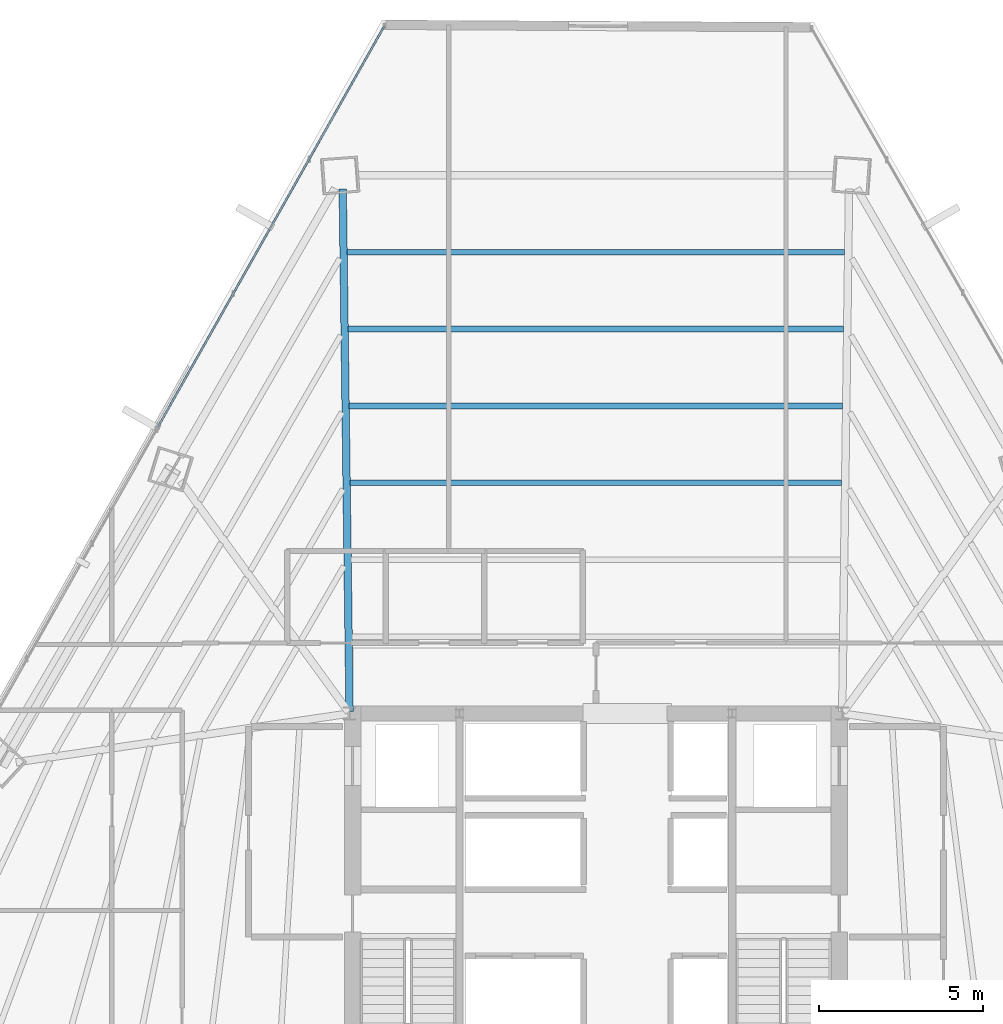
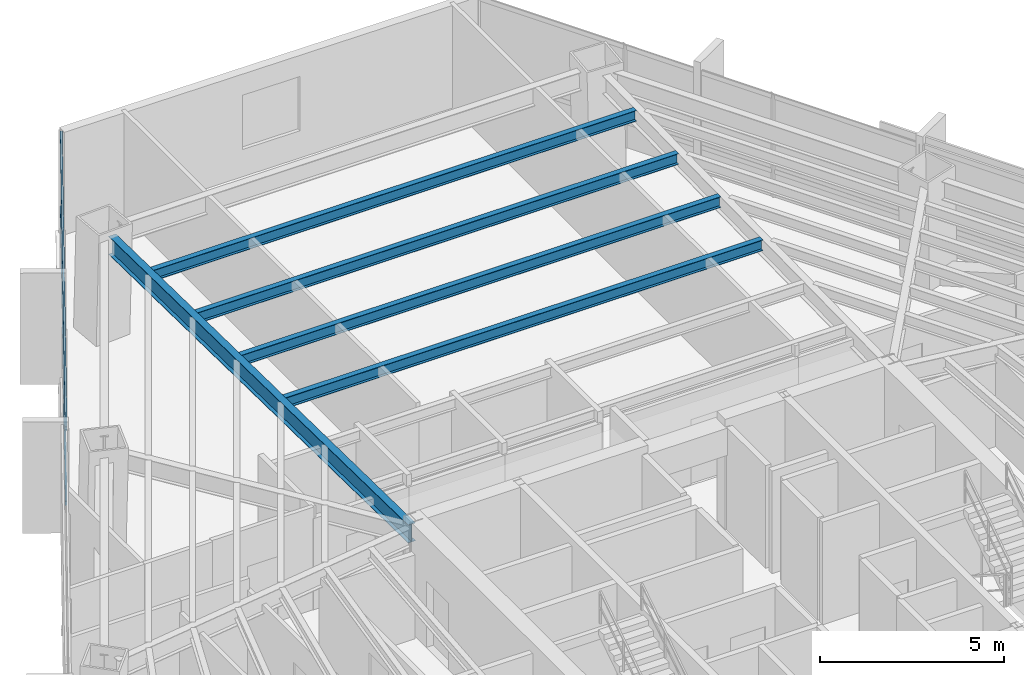
# One storey, part 24 of 35: 5 beams, 2 members, 1 element without a shape of its own.
"""IFC4 building model written with IfcOpenShell, lengths in metres."""

from ifc_helpers import new_model, si_unit, direction, frame, origin, origin_2d, place, context, subcontext, project, spatial, hollow_rectangle, i_section, extrude, source, transform, mapped, material, material_profile, profile_set, type_object, type_shapes, element, aggregate, save


model = new_model("IFC4")

# Units and contexts
model_context = context("Model", 3, precision=1e-05, world=origin(), true_north=direction((0.0, 1.0)))
body_context = subcontext(model_context, "Body", "Model", "MODEL_VIEW")
ifc_project = project(units=[si_unit("LENGTHUNIT", "METRE"), si_unit("AREAUNIT", "SQUARE_METRE"), si_unit("VOLUMEUNIT", "CUBIC_METRE"), si_unit("PLANEANGLEUNIT", "RADIAN"), si_unit("MASSUNIT", "GRAM", prefix="KILO")], contexts=[model_context])

# Site, building, storey
site_placement = place(None, origin())
site = spatial("IfcSite", under=ifc_project, at=site_placement, CompositionType="ELEMENT")
building_placement = place(site_placement, origin())
building = spatial("IfcBuilding", under=site, at=building_placement, Name="Caelisora Broadcast Tower", CompositionType="ELEMENT")
storey_placement = place(building_placement, frame((0.0, 0.0, 90.800048828125)))
storey = spatial("IfcBuildingStorey", under=building, at=storey_placement, Name="L23", CompositionType="ELEMENT", Elevation=90.800048828125)

# Beams
ifc_material_1 = material(Name="Steel Grade 350 (AS/NZS 3679.1)", Category="steel")
ifc_material_profile_1 = material_profile(ifc_material_1, i_section(OverallWidth=0.22802734375, OverallDepth=0.602294921875, WebThickness=0.010498046875, FlangeThickness=0.014892578125, at=origin_2d()), Name="Steel Grade 350 (AS/NZS 3679.1)")
ifc_profile_set_1 = profile_set([ifc_material_profile_1], Name="Steel Grade 350 (AS/NZS 3679.1)")
beam_type_1 = type_object("IfcBeamType", Name="PG04", PredefinedType="BEAM", material=ifc_profile_set_1)
shared_shape_1 = source(origin(), body_context, "Body", "SweptSolid", [
    extrude(i_section(OverallWidth=0.22802734375, OverallDepth=0.602294921875, WebThickness=0.010498046875, FlangeThickness=0.014892578125, at=origin_2d()), origin(), (0.0, 0.0, 1.0), 15.9111328125),
])
type_shapes(beam_type_1, [shared_shape_1])
beam_1_placement = place(storey_placement, frame((30.499267578125, 30.06005859375, 3.098876953125), z_axis=(-0.013088526737, 0.999914341565, 0.0), x_axis=(-0.999914341565, -0.013088526737, 0.0)))
element("IfcBeam", 1, at=beam_1_placement, inside=storey, type_object=beam_type_1, Name="L23 beam PG04", PredefinedType="BEAM", context=body_context, shape_type="MappedRepresentation", body=[
    mapped(shared_shape_1, transform((0.0, 0.0, 0.0), scale=1.0)),
])
ifc_material_profile_2 = material_profile(ifc_material_1, i_section(OverallWidth=0.172119140625, OverallDepth=0.358642578125, WebThickness=0.008056640625, FlangeThickness=0.012939453125, at=origin_2d()), Name="Steel Grade 350 (AS/NZS 3679.1)")
ifc_profile_set_2 = profile_set([ifc_material_profile_2], Name="Steel Grade 350 (AS/NZS 3679.1)")
beam_type_2 = type_object("IfcBeamType", Name="SB02", PredefinedType="JOIST", material=ifc_profile_set_2)
shared_shape_2 = source(origin(), body_context, "Body", "SweptSolid", [
    extrude(i_section(OverallWidth=0.172119140625, OverallDepth=0.358642578125, WebThickness=0.008056640625, FlangeThickness=0.012939453125, at=origin_2d()), origin(), (0.0, 0.0, 1.0), 14.9619140625),
])
beam_2_placement = place(storey_placement, frame((45.48095703125, 37.024169921875, 3.220703125), z_axis=(-1.0, 0.0, 0.0), x_axis=(0.0, -1.0, 0.0)))
element("IfcBeam", 2, at=beam_2_placement, inside=storey, type_object=beam_type_2, Name="L23 beam SB02", PredefinedType="JOIST", context=body_context, shape_type="MappedRepresentation", body=[
    mapped(shared_shape_2, transform((0.0, 0.0, 0.0), scale=1.0)),
])
shared_shape_3 = source(origin(), body_context, "Body", "SweptSolid", [
    extrude(i_section(OverallWidth=0.172119140625, OverallDepth=0.358642578125, WebThickness=0.008056640625, FlangeThickness=0.012939453125, at=origin_2d()), origin(), (0.0, 0.0, 1.0), 15.0234375),
])
beam_3_placement = place(storey_placement, frame((45.51171875, 39.365478515625, 3.220703125), z_axis=(-1.0, 0.0, 0.0), x_axis=(0.0, -1.0, 0.0)))
element("IfcBeam", 3, at=beam_3_placement, inside=storey, type_object=beam_type_2, Name="L23 beam SB02", PredefinedType="JOIST", context=body_context, shape_type="MappedRepresentation", body=[
    mapped(shared_shape_3, transform((0.0, 0.0, 0.0), scale=1.0)),
])
shared_shape_4 = source(origin(), body_context, "Body", "SweptSolid", [
    extrude(i_section(OverallWidth=0.172119140625, OverallDepth=0.358642578125, WebThickness=0.008056640625, FlangeThickness=0.012939453125, at=origin_2d()), origin(), (0.0, 0.0, 1.0), 15.08447265625),
])
beam_4_placement = place(storey_placement, frame((45.542236328125, 41.706787109375, 3.220703125), z_axis=(-1.0, 0.0, 0.0), x_axis=(0.0, -1.0, 0.0)))
element("IfcBeam", 4, at=beam_4_placement, inside=storey, type_object=beam_type_2, Name="L23 beam SB02", PredefinedType="JOIST", context=body_context, shape_type="MappedRepresentation", body=[
    mapped(shared_shape_4, transform((0.0, 0.0, 0.0), scale=1.0)),
])
shared_shape_5 = source(origin(), body_context, "Body", "SweptSolid", [
    extrude(i_section(OverallWidth=0.172119140625, OverallDepth=0.358642578125, WebThickness=0.008056640625, FlangeThickness=0.012939453125, at=origin_2d()), origin(), (0.0, 0.0, 1.0), 15.14599609375),
])
type_shapes(beam_type_2, [shared_shape_2, shared_shape_3, shared_shape_4, shared_shape_5])
beam_5_placement = place(storey_placement, frame((45.572998046875, 44.04833984375, 3.220703125), z_axis=(-1.0, 0.0, 0.0), x_axis=(0.0, -1.0, 0.0)))
element("IfcBeam", 5, at=beam_5_placement, inside=storey, type_object=beam_type_2, Name="L23 beam SB02", PredefinedType="JOIST", context=body_context, shape_type="MappedRepresentation", body=[
    mapped(shared_shape_5, transform((0.0, 0.0, 0.0), scale=1.0)),
])

# Curtain wall, members
ifc_material_2 = material(Name="Unitised Aluminium and Low-E Glass Curtain Wall", Category="glass")
curtain_wall_type = type_object("IfcCurtainWallType", Name="CW-Z2", PredefinedType="NOTDEFINED", material=ifc_material_2)
curtain_wall_placement = place(storey_placement, origin())
curtain_wall = element("IfcCurtainWall", 6, at=curtain_wall_placement, inside=storey, type_object=curtain_wall_type, Name="L23 curtain wall CW-Z2", PredefinedType="NOTDEFINED")
ifc_material_3 = material(Name="Aluminium 6063-T6 Anodised Terracotta Bronze", Category="aluminium")
ifc_material_profile_3 = material_profile(ifc_material_3, hollow_rectangle(XDim=0.06005859375, YDim=0.14990234375, WallThickness=0.00341796875, at=origin_2d()), Name="Aluminium 6063-T6 Anodised Terracotta Bronze")
ifc_profile_set_3 = profile_set([ifc_material_profile_3], Name="Aluminium 6063-T6 Anodised Terracotta Bronze")
member_type = type_object("IfcMemberType", Name="CWT-02", PredefinedType="USERDEFINED", material=ifc_profile_set_3)
shared_shape_6 = source(origin(), body_context, "Body", "SweptSolid", [
    extrude(hollow_rectangle(XDim=0.06005859375, YDim=0.14990234375, WallThickness=0.00341796875, at=origin_2d()), origin(), (0.0, 0.0, 1.0), 13.9873046875),
])
type_shapes(member_type, [shared_shape_6])
member_1_placement = place(storey_placement, frame((24.67431640625, 38.745361328125, 0.849853515625), z_axis=(0.491747219544, 0.870738004265, 0.0), x_axis=(-0.870738004265, 0.491747219544, 0.0)))
member_1 = element("IfcMember", 7, at=member_1_placement, type_object=member_type, Name="L23-CW-B11 transom #1", ObjectType="TRANSOM", PredefinedType="USERDEFINED", context=body_context, shape_type="MappedRepresentation", body=[
    mapped(shared_shape_6, transform((0.0, 0.0, 0.0), scale=1.0)),
])
member_2_placement = place(storey_placement, frame((24.67431640625, 38.745361328125, 3.320068359375), z_axis=(0.491747219544, 0.870738004265, 0.0), x_axis=(-0.870738004265, 0.491747219544, 0.0)))
member_2 = element("IfcMember", 8, at=member_2_placement, type_object=member_type, Name="L23-CW-B11 transom #2", ObjectType="TRANSOM", PredefinedType="USERDEFINED", context=body_context, shape_type="MappedRepresentation", body=[
    mapped(shared_shape_6, transform((0.0, 0.0, 0.0), scale=1.0)),
])
aggregate(curtain_wall, [member_1, member_2])

save(model, "model.ifc")
